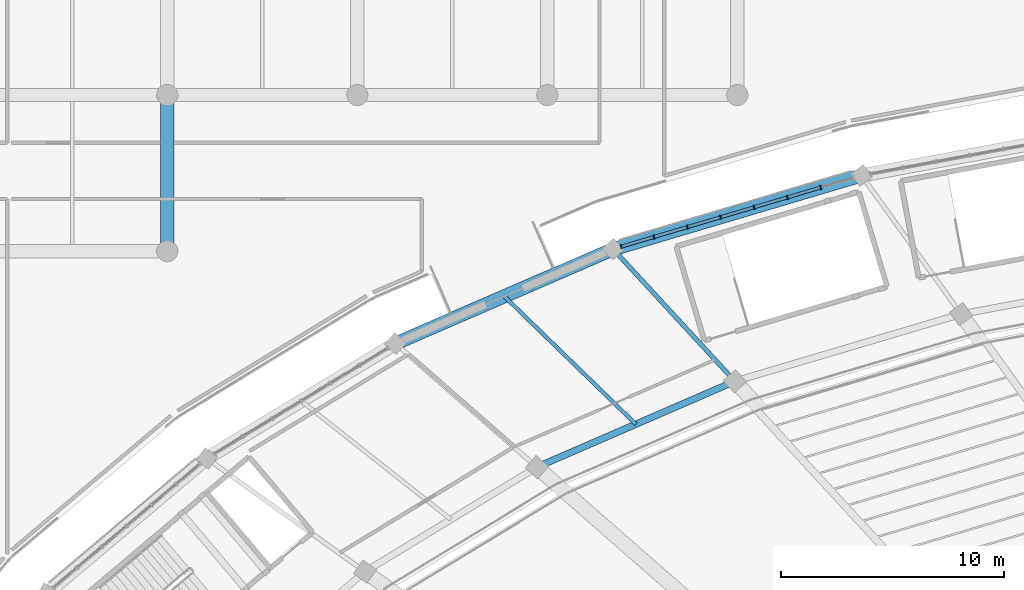
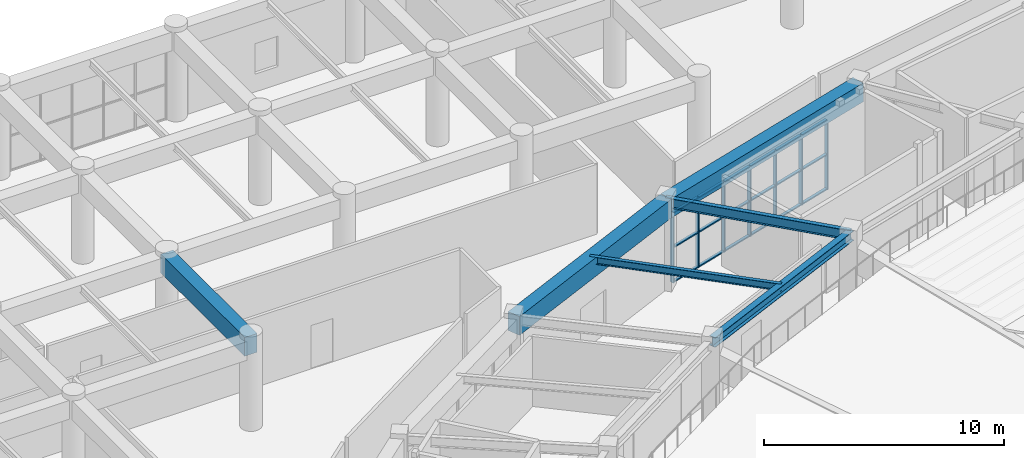
# One storey, part 55 of 137: 25 members, 6 beams, 1 element without a shape of its own.
"""IFC4 building model written with IfcOpenShell, lengths in metres."""

from ifc_helpers import new_model, si_unit, direction, frame, origin, origin_2d, place, context, subcontext, project, spatial, rectangle, i_section, extrude, material, layer, layer_set, material_profile, profile_set, type_object, element, aggregate, save


model = new_model("IFC4")

# Units and contexts
model_context = context("Model", 3, precision=1e-05, world=origin(), true_north=direction((0.0, 1.0)))
body_context = subcontext(model_context, "Body", "Model", "MODEL_VIEW")
ifc_project = project(units=[si_unit("LENGTHUNIT", "METRE"), si_unit("AREAUNIT", "SQUARE_METRE"), si_unit("VOLUMEUNIT", "CUBIC_METRE"), si_unit("PLANEANGLEUNIT", "RADIAN"), si_unit("MASSUNIT", "GRAM", prefix="KILO")], contexts=[model_context])

# Site, building, storey
site_placement = place(None, origin())
site = spatial("IfcSite", under=ifc_project, at=site_placement, CompositionType="ELEMENT")
building_placement = place(site_placement, origin())
building = spatial("IfcBuilding", under=site, at=building_placement, Name="Mphavela Belvedere Stadium", CompositionType="ELEMENT")
storey_placement = place(building_placement, frame((0.0, 0.0, 19.199951171875)))
storey = spatial("IfcBuildingStorey", under=building, at=storey_placement, Name="L04", CompositionType="ELEMENT", Elevation=19.199951171875)

# Beams
ifc_material_1 = material(Name="Concrete C40/50", Category="concrete")
ifc_material_profile_1 = material_profile(ifc_material_1, rectangle(XDim=0.60009765625, YDim=0.949951171875, at=origin_2d()), Name="RC 600x950")
ifc_profile_set_1 = profile_set([ifc_material_profile_1], Name="Concrete C40/50")
beam_type_1 = type_object("IfcBeamType", Name="BM-ENTABLATURE-950", PredefinedType="SPANDREL", material=ifc_profile_set_1)
beam_1_placement = place(storey_placement, frame((65.19873046875, 156.39697265625, 4.074951171875), z_axis=(-0.958656362639, -0.284566298727, 0.0), x_axis=(0.284566298727, -0.958656362639, 0.0)))
element("IfcBeam", 1, at=beam_1_placement, inside=storey, type_object=beam_type_1, Name="Circumferential girder L04 R4-16", PredefinedType="SPANDREL", context=body_context, shape_type="SweptSolid", body=[
    extrude(rectangle(XDim=0.60009765625, YDim=0.949951171875, at=origin_2d()), origin(), (0.0, 0.0, 1.0), 11.616455078125),
])
beam_2_placement = place(storey_placement, frame((54.0625, 153.09130859375, 4.074951171875), z_axis=(-0.91749867224, -0.397738842004, 0.0), x_axis=(0.397738842004, -0.91749867224, 0.0)))
element("IfcBeam", 2, at=beam_2_placement, inside=storey, type_object=beam_type_1, Name="Circumferential girder L04 R4-17", PredefinedType="SPANDREL", context=body_context, shape_type="SweptSolid", body=[
    extrude(rectangle(XDim=0.60009765625, YDim=0.949951171875, at=origin_2d()), origin(), (0.0, 0.0, 1.0), 10.63623046875),
])
beam_3_placement = place(storey_placement, frame((34.073974609375, 153.0, 4.06494140625), z_axis=(0.0, 1.0, 0.0), x_axis=(-1.0, 0.0, 0.0)))
element("IfcBeam", 3, at=beam_3_placement, inside=storey, type_object=beam_type_1, Name="North Mast and Ceremonial End Forecourt entablature beam Y L04 5-5", PredefinedType="SPANDREL", context=body_context, shape_type="SweptSolid", body=[
    extrude(rectangle(XDim=0.60009765625, YDim=0.949951171875, at=origin_2d()), origin(), (0.0, 0.0, 1.0), 7.0),
])
ifc_material_2 = material(Name="Steel S355", Category="steel")
ifc_material_profile_2 = material_profile(ifc_material_2, i_section(OverallWidth=0.169921875, OverallDepth=0.360107421875, WebThickness=0.008056640625, FlangeThickness=0.0126953125, at=origin_2d()), Name="IPE 360")
ifc_profile_set_2 = profile_set([ifc_material_profile_2], Name="Steel S355")
beam_type_2 = type_object("IfcBeamType", Name="BM-JOIST-IPE360", PredefinedType="JOIST", material=ifc_profile_set_2)
beam_4_placement = place(storey_placement, frame((55.081787109375, 145.242431640625, 4.3701171875), z_axis=(-0.717067022089, 0.697004222249, 0.0), x_axis=(-0.697004222249, -0.717067022089, 0.0)))
element("IfcBeam", 4, at=beam_4_placement, inside=storey, type_object=beam_type_2, Name="Concourse floor joist L04-17", PredefinedType="JOIST", context=body_context, shape_type="SweptSolid", body=[
    extrude(i_section(OverallWidth=0.169921875, OverallDepth=0.360107421875, WebThickness=0.008056640625, FlangeThickness=0.0126953125, at=origin_2d()), origin(), (0.0, 0.0, 1.0), 8.22607421875),
])
ifc_material_3 = material(Name="Steel S355", Category="steel")
ifc_material_profile_3 = material_profile(ifc_material_3, i_section(OverallWidth=0.300048828125, OverallDepth=0.489990234375, WebThickness=0.011962890625, FlangeThickness=0.02294921875, at=origin_2d()), Name="HEA 500")
ifc_profile_set_3 = profile_set([ifc_material_profile_3], Name="Steel S355")
beam_type_3 = type_object("IfcBeamType", Name="BM-STEEL-HEA500", PredefinedType="BEAM", material=ifc_profile_set_3)
beam_5_placement = place(storey_placement, frame((59.523681640625, 147.16796875, 4.304931640625), z_axis=(-0.917501650019, -0.397731972832, 0.0), x_axis=(0.397731972832, -0.917501650019, 0.0)))
element("IfcBeam", 5, at=beam_5_placement, inside=storey, type_object=beam_type_3, Name="Circumferential girder L04 R3-17", PredefinedType="BEAM", context=body_context, shape_type="SweptSolid", body=[
    extrude(i_section(OverallWidth=0.300048828125, OverallDepth=0.489990234375, WebThickness=0.011962890625, FlangeThickness=0.02294921875, at=origin_2d()), origin(), (0.0, 0.0, 1.0), 9.6826171875),
])
ifc_material_4 = material(Name="Steel S355", Category="steel")
ifc_material_profile_4 = material_profile(ifc_material_4, i_section(OverallWidth=0.199951171875, OverallDepth=0.5, WebThickness=0.01025390625, FlangeThickness=0.01611328125, at=origin_2d()), Name="IPE 500")
ifc_profile_set_4 = profile_set([ifc_material_profile_4], Name="Steel S355")
beam_type_4 = type_object("IfcBeamType", Name="BM-STEEL-IPE500", PredefinedType="BEAM", material=ifc_profile_set_4)
beam_6_placement = place(storey_placement, frame((59.523681640625, 147.16796875, 4.300048828125), z_axis=(-0.67784325477, 0.735206448532, 0.0), x_axis=(-0.735206448532, -0.67784325477, 0.0)))
element("IfcBeam", 6, at=beam_6_placement, inside=storey, type_object=beam_type_4, Name="Radial concourse girder L04 R3R4-17", PredefinedType="BEAM", context=body_context, shape_type="SweptSolid", body=[
    extrude(i_section(OverallWidth=0.199951171875, OverallDepth=0.5, WebThickness=0.01025390625, FlangeThickness=0.01611328125, at=origin_2d()), origin(), (0.0, 0.0, 1.0), 8.056640625),
])

# Curtain wall, members
ifc_material_5 = material(Name="Anodised bronze unitised curtain wall framing")
ifc_layer = layer(ifc_material_5, 0.205078125)
ifc_layer_set = layer_set([ifc_layer], Name="Anodised bronze unitised curtain wall framing")
curtain_wall_type = type_object("IfcCurtainWallType", Name="CW-UNIT-06", PredefinedType="USERDEFINED", material=ifc_layer_set)
curtain_wall_placement = place(storey_placement, origin())
curtain_wall = element("IfcCurtainWall", 7, at=curtain_wall_placement, inside=storey, type_object=curtain_wall_type, Name="Belvedere colonnade curtain wall L04-16", ObjectType="UNITISED CURTAIN WALL", PredefinedType="USERDEFINED")
ifc_material_6 = material(Name="Anodised bronze extruded aluminium", Category="aluminium")
ifc_material_profile_5 = material_profile(ifc_material_6, rectangle(XDim=0.179931640625, YDim=0.06494140625, at=origin_2d()), Name="CW-MUL 180x65")
ifc_profile_set_5 = profile_set([ifc_material_profile_5], Name="Anodised bronze extruded aluminium")
member_type_1 = type_object("IfcMemberType", Name="CWM-180x65", PredefinedType="MULLION", material=ifc_profile_set_5)
member_1_placement = place(storey_placement, frame((63.36962890625, 155.85400390625, 0.0), z_axis=(0.0, 0.0, 1.0), x_axis=(0.284560945489, -0.958657951671, 0.0)))
member_1 = element("IfcMember", 8, at=member_1_placement, type_object=member_type_1, Name="CW-06 mullion 2", PredefinedType="MULLION", context=body_context, shape_type="SweptSolid", body=[
    extrude(rectangle(XDim=0.179931640625, YDim=0.06494140625, at=origin_2d()), origin(), (0.0, 0.0, 1.0), 3.570068359375),
])
member_2_placement = place(storey_placement, frame((61.8740234375, 155.409912109375, 0.0), z_axis=(0.0, 0.0, 1.0), x_axis=(0.284560945489, -0.958657951671, 0.0)))
member_2 = element("IfcMember", 9, at=member_2_placement, type_object=member_type_1, Name="CW-06 mullion 3", PredefinedType="MULLION", context=body_context, shape_type="SweptSolid", body=[
    extrude(rectangle(XDim=0.179931640625, YDim=0.06494140625, at=origin_2d()), origin(), (0.0, 0.0, 1.0), 3.570068359375),
])
member_3_placement = place(storey_placement, frame((60.37841796875, 154.966064453125, 0.0), z_axis=(0.0, 0.0, 1.0), x_axis=(0.284560945489, -0.958657951671, 0.0)))
member_3 = element("IfcMember", 10, at=member_3_placement, type_object=member_type_1, Name="CW-06 mullion 4", PredefinedType="MULLION", context=body_context, shape_type="SweptSolid", body=[
    extrude(rectangle(XDim=0.179931640625, YDim=0.06494140625, at=origin_2d()), origin(), (0.0, 0.0, 1.0), 3.570068359375),
])
member_4_placement = place(storey_placement, frame((58.8828125, 154.522216796875, 0.0), z_axis=(0.0, 0.0, 1.0), x_axis=(0.284560945489, -0.958657951671, 0.0)))
member_4 = element("IfcMember", 11, at=member_4_placement, type_object=member_type_1, Name="CW-06 mullion 5", PredefinedType="MULLION", context=body_context, shape_type="SweptSolid", body=[
    extrude(rectangle(XDim=0.179931640625, YDim=0.06494140625, at=origin_2d()), origin(), (0.0, 0.0, 1.0), 3.570068359375),
])
member_5_placement = place(storey_placement, frame((57.38720703125, 154.078125, 0.0), z_axis=(0.0, 0.0, 1.0), x_axis=(0.284560945489, -0.958657951671, 0.0)))
member_5 = element("IfcMember", 12, at=member_5_placement, type_object=member_type_1, Name="CW-06 mullion 6", PredefinedType="MULLION", context=body_context, shape_type="SweptSolid", body=[
    extrude(rectangle(XDim=0.179931640625, YDim=0.06494140625, at=origin_2d()), origin(), (0.0, 0.0, 1.0), 3.570068359375),
])
member_6_placement = place(storey_placement, frame((55.8916015625, 153.63427734375, 0.0), z_axis=(0.0, 0.0, 1.0), x_axis=(0.284560945489, -0.958657951671, 0.0)))
member_6 = element("IfcMember", 13, at=member_6_placement, type_object=member_type_1, Name="CW-06 mullion 7", PredefinedType="MULLION", context=body_context, shape_type="SweptSolid", body=[
    extrude(rectangle(XDim=0.179931640625, YDim=0.06494140625, at=origin_2d()), origin(), (0.0, 0.0, 1.0), 3.570068359375),
])
member_7_placement = place(storey_placement, frame((54.42724609375, 153.199462890625, 0.0), z_axis=(0.0, 0.0, 1.0), x_axis=(0.284560945489, -0.958657951671, 0.0)))
member_7 = element("IfcMember", 14, at=member_7_placement, type_object=member_type_1, Name="CW-06 mullion 8", PredefinedType="MULLION", context=body_context, shape_type="SweptSolid", body=[
    extrude(rectangle(XDim=0.179931640625, YDim=0.06494140625, at=origin_2d()), origin(), (0.0, 0.0, 1.0), 3.570068359375),
])
ifc_material_7 = material(Name="Anodised bronze extruded aluminium", Category="aluminium")
ifc_material_profile_6 = material_profile(ifc_material_7, rectangle(XDim=0.139892578125, YDim=0.06005859375, at=origin_2d()), Name="CW-TRN 140x60")
ifc_profile_set_6 = profile_set([ifc_material_profile_6], Name="Anodised bronze extruded aluminium")
member_type_2 = type_object("IfcMemberType", Name="CWT-140x60", PredefinedType="USERDEFINED", material=ifc_profile_set_6)
member_8_placement = place(storey_placement, frame((63.33837890625, 155.8447265625, 0.030029296875), z_axis=(-0.958631548823, -0.284649878977, 0.0), x_axis=(0.284649878977, -0.958631548823, 0.0)))
member_8 = element("IfcMember", 15, at=member_8_placement, type_object=member_type_2, Name="CW-06 transom 2.1", ObjectType="TRANSOM", PredefinedType="USERDEFINED", context=body_context, shape_type="SweptSolid", body=[
    extrude(rectangle(XDim=0.139892578125, YDim=0.06005859375, at=origin_2d()), origin(), (0.0, 0.0, 1.0), 1.494873046875),
])
member_9_placement = place(storey_placement, frame((63.33837890625, 155.8447265625, 1.78515625), z_axis=(-0.958631548823, -0.284649878977, 0.0), x_axis=(0.284649878977, -0.958631548823, 0.0)))
member_9 = element("IfcMember", 16, at=member_9_placement, type_object=member_type_2, Name="CW-06 transom 2.2", ObjectType="TRANSOM", PredefinedType="USERDEFINED", context=body_context, shape_type="SweptSolid", body=[
    extrude(rectangle(XDim=0.139892578125, YDim=0.06005859375, at=origin_2d()), origin(), (0.0, 0.0, 1.0), 1.494873046875),
])
member_10_placement = place(storey_placement, frame((63.33837890625, 155.8447265625, 3.5400390625), z_axis=(-0.958631548823, -0.284649878977, 0.0), x_axis=(0.284649878977, -0.958631548823, 0.0)))
member_10 = element("IfcMember", 17, at=member_10_placement, type_object=member_type_2, Name="CW-06 transom 2.3", ObjectType="TRANSOM", PredefinedType="USERDEFINED", context=body_context, shape_type="SweptSolid", body=[
    extrude(rectangle(XDim=0.139892578125, YDim=0.06005859375, at=origin_2d()), origin(), (0.0, 0.0, 1.0), 1.494873046875),
])
member_11_placement = place(storey_placement, frame((61.8427734375, 155.40087890625, 0.030029296875), z_axis=(-0.958631548823, -0.284649878977, 0.0), x_axis=(0.284649878977, -0.958631548823, 0.0)))
member_11 = element("IfcMember", 18, at=member_11_placement, type_object=member_type_2, Name="CW-06 transom 3.1", ObjectType="TRANSOM", PredefinedType="USERDEFINED", context=body_context, shape_type="SweptSolid", body=[
    extrude(rectangle(XDim=0.139892578125, YDim=0.06005859375, at=origin_2d()), origin(), (0.0, 0.0, 1.0), 1.494873046875),
])
member_12_placement = place(storey_placement, frame((61.8427734375, 155.40087890625, 1.78515625), z_axis=(-0.958631548823, -0.284649878977, 0.0), x_axis=(0.284649878977, -0.958631548823, 0.0)))
member_12 = element("IfcMember", 19, at=member_12_placement, type_object=member_type_2, Name="CW-06 transom 3.2", ObjectType="TRANSOM", PredefinedType="USERDEFINED", context=body_context, shape_type="SweptSolid", body=[
    extrude(rectangle(XDim=0.139892578125, YDim=0.06005859375, at=origin_2d()), origin(), (0.0, 0.0, 1.0), 1.494873046875),
])
member_13_placement = place(storey_placement, frame((61.8427734375, 155.40087890625, 3.5400390625), z_axis=(-0.958631548823, -0.284649878977, 0.0), x_axis=(0.284649878977, -0.958631548823, 0.0)))
member_13 = element("IfcMember", 20, at=member_13_placement, type_object=member_type_2, Name="CW-06 transom 3.3", ObjectType="TRANSOM", PredefinedType="USERDEFINED", context=body_context, shape_type="SweptSolid", body=[
    extrude(rectangle(XDim=0.139892578125, YDim=0.06005859375, at=origin_2d()), origin(), (0.0, 0.0, 1.0), 1.494873046875),
])
member_14_placement = place(storey_placement, frame((60.34716796875, 154.956787109375, 0.030029296875), z_axis=(-0.958676102342, -0.284499790508, 0.0), x_axis=(0.284499790508, -0.958676102342, 0.0)))
member_14 = element("IfcMember", 21, at=member_14_placement, type_object=member_type_2, Name="CW-06 transom 4.1", ObjectType="TRANSOM", PredefinedType="USERDEFINED", context=body_context, shape_type="SweptSolid", body=[
    extrude(rectangle(XDim=0.139892578125, YDim=0.06005859375, at=origin_2d()), origin(), (0.0, 0.0, 1.0), 1.494873046875),
])
member_15_placement = place(storey_placement, frame((60.34716796875, 154.956787109375, 1.78515625), z_axis=(-0.958676102342, -0.284499790508, 0.0), x_axis=(0.284499790508, -0.958676102342, 0.0)))
member_15 = element("IfcMember", 22, at=member_15_placement, type_object=member_type_2, Name="CW-06 transom 4.2", ObjectType="TRANSOM", PredefinedType="USERDEFINED", context=body_context, shape_type="SweptSolid", body=[
    extrude(rectangle(XDim=0.139892578125, YDim=0.06005859375, at=origin_2d()), origin(), (0.0, 0.0, 1.0), 1.494873046875),
])
member_16_placement = place(storey_placement, frame((60.34716796875, 154.956787109375, 3.5400390625), z_axis=(-0.958676102342, -0.284499790508, 0.0), x_axis=(0.284499790508, -0.958676102342, 0.0)))
member_16 = element("IfcMember", 23, at=member_16_placement, type_object=member_type_2, Name="CW-06 transom 4.3", ObjectType="TRANSOM", PredefinedType="USERDEFINED", context=body_context, shape_type="SweptSolid", body=[
    extrude(rectangle(XDim=0.139892578125, YDim=0.06005859375, at=origin_2d()), origin(), (0.0, 0.0, 1.0), 1.494873046875),
])
member_17_placement = place(storey_placement, frame((58.8515625, 154.512939453125, 0.030029296875), z_axis=(-0.958631548823, -0.284649878977, 0.0), x_axis=(0.284649878977, -0.958631548823, 0.0)))
member_17 = element("IfcMember", 24, at=member_17_placement, type_object=member_type_2, Name="CW-06 transom 5.1", ObjectType="TRANSOM", PredefinedType="USERDEFINED", context=body_context, shape_type="SweptSolid", body=[
    extrude(rectangle(XDim=0.139892578125, YDim=0.06005859375, at=origin_2d()), origin(), (0.0, 0.0, 1.0), 1.494873046875),
])
member_18_placement = place(storey_placement, frame((58.8515625, 154.512939453125, 1.78515625), z_axis=(-0.958631548823, -0.284649878977, 0.0), x_axis=(0.284649878977, -0.958631548823, 0.0)))
member_18 = element("IfcMember", 25, at=member_18_placement, type_object=member_type_2, Name="CW-06 transom 5.2", ObjectType="TRANSOM", PredefinedType="USERDEFINED", context=body_context, shape_type="SweptSolid", body=[
    extrude(rectangle(XDim=0.139892578125, YDim=0.06005859375, at=origin_2d()), origin(), (0.0, 0.0, 1.0), 1.494873046875),
])
member_19_placement = place(storey_placement, frame((58.8515625, 154.512939453125, 3.5400390625), z_axis=(-0.958631548823, -0.284649878977, 0.0), x_axis=(0.284649878977, -0.958631548823, 0.0)))
member_19 = element("IfcMember", 26, at=member_19_placement, type_object=member_type_2, Name="CW-06 transom 5.3", ObjectType="TRANSOM", PredefinedType="USERDEFINED", context=body_context, shape_type="SweptSolid", body=[
    extrude(rectangle(XDim=0.139892578125, YDim=0.06005859375, at=origin_2d()), origin(), (0.0, 0.0, 1.0), 1.494873046875),
])
member_20_placement = place(storey_placement, frame((57.35595703125, 154.06884765625, 0.030029296875), z_axis=(-0.958676102342, -0.284499790508, 0.0), x_axis=(0.284499790508, -0.958676102342, 0.0)))
member_20 = element("IfcMember", 27, at=member_20_placement, type_object=member_type_2, Name="CW-06 transom 6.1", ObjectType="TRANSOM", PredefinedType="USERDEFINED", context=body_context, shape_type="SweptSolid", body=[
    extrude(rectangle(XDim=0.139892578125, YDim=0.06005859375, at=origin_2d()), origin(), (0.0, 0.0, 1.0), 1.494873046875),
])
member_21_placement = place(storey_placement, frame((57.35595703125, 154.06884765625, 1.78515625), z_axis=(-0.958676102342, -0.284499790508, 0.0), x_axis=(0.284499790508, -0.958676102342, 0.0)))
member_21 = element("IfcMember", 28, at=member_21_placement, type_object=member_type_2, Name="CW-06 transom 6.2", ObjectType="TRANSOM", PredefinedType="USERDEFINED", context=body_context, shape_type="SweptSolid", body=[
    extrude(rectangle(XDim=0.139892578125, YDim=0.06005859375, at=origin_2d()), origin(), (0.0, 0.0, 1.0), 1.494873046875),
])
member_22_placement = place(storey_placement, frame((57.35595703125, 154.06884765625, 3.5400390625), z_axis=(-0.958676102342, -0.284499790508, 0.0), x_axis=(0.284499790508, -0.958676102342, 0.0)))
member_22 = element("IfcMember", 29, at=member_22_placement, type_object=member_type_2, Name="CW-06 transom 6.3", ObjectType="TRANSOM", PredefinedType="USERDEFINED", context=body_context, shape_type="SweptSolid", body=[
    extrude(rectangle(XDim=0.139892578125, YDim=0.06005859375, at=origin_2d()), origin(), (0.0, 0.0, 1.0), 1.494873046875),
])
member_23_placement = place(storey_placement, frame((55.8603515625, 153.625, 0.030029296875), z_axis=(-0.958644731481, -0.284605479223, 0.0), x_axis=(0.284605479223, -0.958644731481, 0.0)))
member_23 = element("IfcMember", 30, at=member_23_placement, type_object=member_type_2, Name="CW-06 transom 7.1", ObjectType="TRANSOM", PredefinedType="USERDEFINED", context=body_context, shape_type="SweptSolid", body=[
    extrude(rectangle(XDim=0.139892578125, YDim=0.06005859375, at=origin_2d()), origin(), (0.0, 0.0, 1.0), 1.462646484375),
])
member_24_placement = place(storey_placement, frame((55.8603515625, 153.625, 1.78515625), z_axis=(-0.958644731481, -0.284605479223, 0.0), x_axis=(0.284605479223, -0.958644731481, 0.0)))
member_24 = element("IfcMember", 31, at=member_24_placement, type_object=member_type_2, Name="CW-06 transom 7.2", ObjectType="TRANSOM", PredefinedType="USERDEFINED", context=body_context, shape_type="SweptSolid", body=[
    extrude(rectangle(XDim=0.139892578125, YDim=0.06005859375, at=origin_2d()), origin(), (0.0, 0.0, 1.0), 1.462646484375),
])
member_25_placement = place(storey_placement, frame((55.8603515625, 153.625, 3.5400390625), z_axis=(-0.958644731481, -0.284605479223, 0.0), x_axis=(0.284605479223, -0.958644731481, 0.0)))
member_25 = element("IfcMember", 32, at=member_25_placement, type_object=member_type_2, Name="CW-06 transom 7.3", ObjectType="TRANSOM", PredefinedType="USERDEFINED", context=body_context, shape_type="SweptSolid", body=[
    extrude(rectangle(XDim=0.139892578125, YDim=0.06005859375, at=origin_2d()), origin(), (0.0, 0.0, 1.0), 1.462646484375),
])
aggregate(curtain_wall, [member_1, member_2, member_3, member_4, member_5, member_6, member_7, member_8, member_9, member_10, member_11, member_12, member_13, member_14, member_15, member_16, member_17, member_18, member_19, member_20, member_21, member_22, member_23, member_24, member_25])

save(model, "model.ifc")
